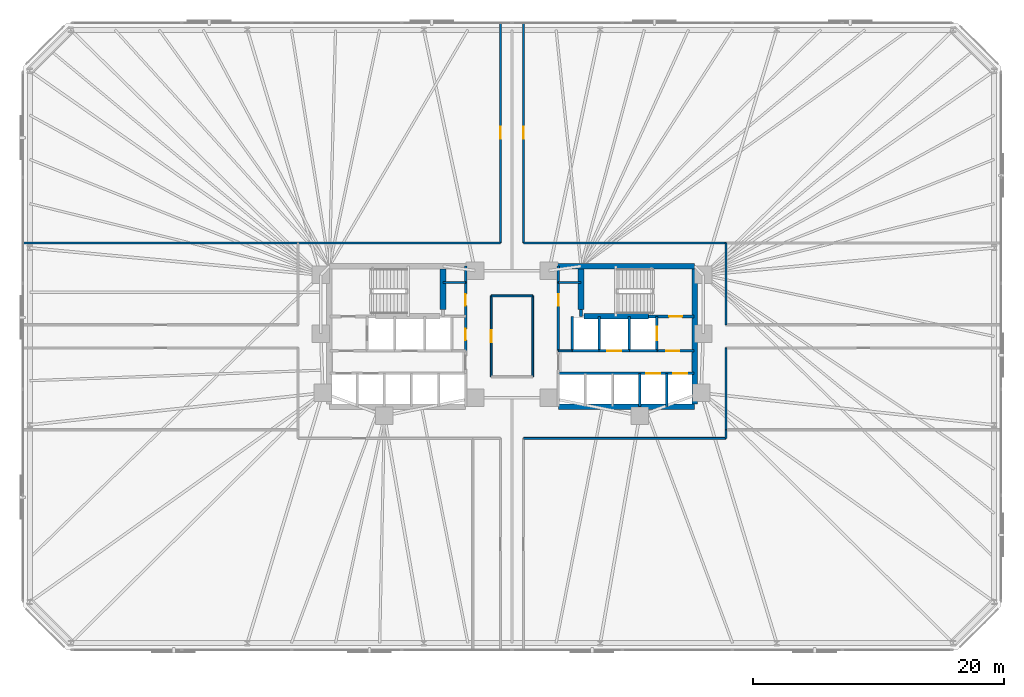
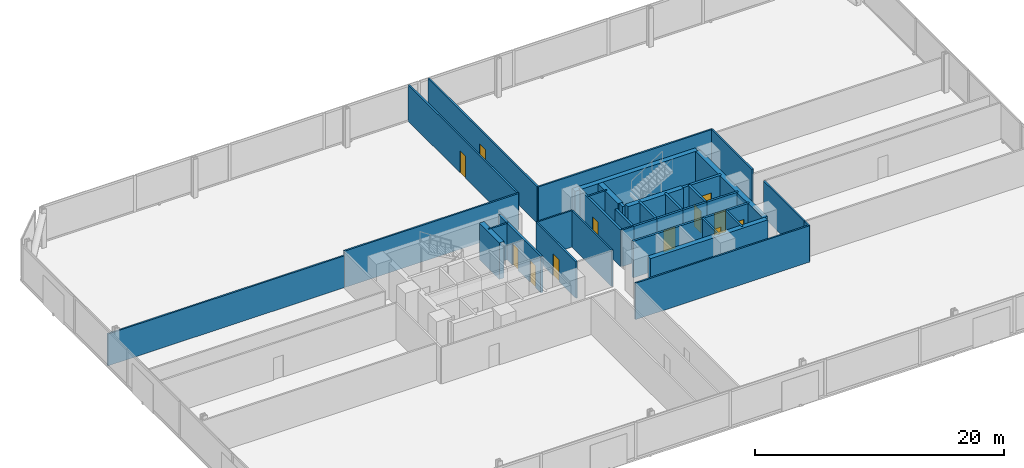
# One storey, part 13 of 16: 36 walls, 12 doors, 12 openings.
"""IFC4 building model written with IfcOpenShell, lengths in metres."""

from ifc_helpers import new_model, si_unit, direction, frame, frame_2d, origin, place, context, subcontext, project, spatial, rectangle, extrude, material, layer, layer_set, type_object, element, fill, save


model = new_model("IFC4")

# Units and contexts
model_context = context("Model", 3, precision=1e-05, world=origin(), true_north=direction((0.0, 1.0)))
body_context = subcontext(model_context, "Body", "Model", "MODEL_VIEW")
ifc_project = project(units=[si_unit("LENGTHUNIT", "METRE"), si_unit("AREAUNIT", "SQUARE_METRE"), si_unit("VOLUMEUNIT", "CUBIC_METRE"), si_unit("PLANEANGLEUNIT", "RADIAN"), si_unit("MASSUNIT", "GRAM", prefix="KILO")], contexts=[model_context])

# Site, building, storey
site_placement = place(None, origin())
site = spatial("IfcSite", under=ifc_project, at=site_placement, CompositionType="ELEMENT")
building_placement = place(site_placement, origin())
building = spatial("IfcBuilding", under=site, at=building_placement, Name="Menara Jurai Vektor", CompositionType="ELEMENT")
storey_placement = place(building_placement, frame((0.0, 0.0, 14.199951171875)))
storey = spatial("IfcBuildingStorey", under=building, at=storey_placement, Name="L02", CompositionType="ELEMENT", Elevation=14.199951171875)

# Wall, opening, door
ifc_material_1 = material(Name="Concrete C40/50", Category="concrete")
ifc_layer_1 = layer(ifc_material_1, 0.25)
ifc_layer_set_1 = layer_set([ifc_layer_1], Name="Concrete C40/50")
wall_type_1 = type_object("IfcWallType", Name="INT-WALL-CORE-250", PredefinedType="STANDARD", material=ifc_layer_set_1)
wall_1_placement = place(storey_placement, frame((10.89990234375, 1.60009765625, 0.0), z_axis=(0.0, 0.0, 1.0), x_axis=(1.0, 0.0, 0.0)))
wall_1 = element("IfcWall", 1, at=wall_1_placement, inside=storey, type_object=wall_type_1, Name="Interior Wall IW-250 L02", PredefinedType="STANDARD", context=body_context, shape_type="SweptSolid", body=[
    extrude(rectangle(XDim=3.60009765625, YDim=0.25, at=frame_2d((1.800048828125, 0.0))), origin(), (0.0, 0.0, 1.0), 3.574951171875),
])
opening_1_placement = place(wall_1_placement, frame((1.6201171875, 0.0, 0.0)))
opening_1 = element("IfcOpeningElement", 2, at=opening_1_placement, cuts=wall_1, Name="Opening D-L02-ST2", PredefinedType="OPENING", context=body_context, shape_type="SweptSolid", body=[
    extrude(rectangle(XDim=1.050048828125, YDim=2.14990234375, at=frame_2d((0.52490234375, 1.074951171875))), frame((0.0, 0.135009765625, 0.0), z_axis=(0.0, -1.0, 0.0), x_axis=(1.0, 0.0, 0.0)), (0.0, 0.0, 1.0), 0.27001953125),
])
ifc_material_2 = material(Name="Fire-Rated Steel Door", Category="steel")
door_type_1 = type_object("IfcDoorType", Name="DR-STAIR-1050", OperationType="NOTDEFINED", PredefinedType="DOOR", material=ifc_material_2)
door_1_placement = place(opening_1_placement, origin())
door_1 = element("IfcDoor", 3, at=door_1_placement, inside=storey, type_object=door_type_1, Name="Exit Stair ST2 Door L02", OperationType="SINGLE_SWING_LEFT", OverallHeight=2.14990234375, OverallWidth=1.050048828125, PredefinedType="DOOR", context=body_context, shape_type="SweptSolid", body=[
    extrude(rectangle(XDim=1.050048828125, YDim=2.14990234375, at=frame_2d((0.52490234375, 1.074951171875))), frame((0.0, 0.02490234375, 0.0), z_axis=(0.0, -1.0, 0.0), x_axis=(1.0, 0.0, 0.0)), (0.0, 0.0, 1.0), 0.050048828125),
])
fill(opening_1, door_1)

# Wall
wall_2_placement = place(storey_placement, frame((5.5, 1.60009765625, 0.0), z_axis=(0.0, 0.0, 1.0), x_axis=(0.0, 1.0, 0.0)))
element("IfcWall", 4, at=wall_2_placement, inside=storey, type_object=wall_type_1, Name="Interior Wall IW-250 L02", PredefinedType="STANDARD", context=body_context, shape_type="SweptSolid", body=[
    extrude(rectangle(XDim=0.5498046875, YDim=0.25, at=frame_2d((0.27490234375, 0.0))), origin(), (0.0, 0.0, 1.0), 3.574951171875),
])

# Wall, opening, door
wall_3_placement = place(storey_placement, frame((11.550048828125, -1.14990234375, 0.0), z_axis=(0.0, 0.0, 1.0), x_axis=(0.0, 1.0, 0.0)))
wall_3 = element("IfcWall", 5, at=wall_3_placement, inside=storey, type_object=wall_type_1, Name="Interior Wall IW-250 L02", PredefinedType="STANDARD", context=body_context, shape_type="SweptSolid", body=[
    extrude(rectangle(XDim=2.75, YDim=0.199951171875, at=frame_2d((1.375, 0.0))), origin(), (0.0, 0.0, 1.0), 3.574951171875),
])
opening_2_placement = place(wall_3_placement, frame((0.824951171875, 0.0, 0.0)))
opening_2 = element("IfcOpeningElement", 6, at=opening_2_placement, cuts=wall_3, Name="Opening LD-L02-FL2", PredefinedType="OPENING", context=body_context, shape_type="SweptSolid", body=[
    extrude(rectangle(XDim=1.10009765625, YDim=2.14990234375, at=frame_2d((0.550048828125, 1.074951171875))), frame((0.0, 0.10986328125, 0.0), z_axis=(0.0, -1.0, 0.0), x_axis=(1.0, 0.0, 0.0)), (0.0, 0.0, 1.0), 0.219970703125),
])
ifc_material_3 = material(Name="Stainless Steel Sliding Lift Landing Door", Category="steel")
door_type_2 = type_object("IfcDoorType", Name="DR-LIFT-FIRE-1100", OperationType="NOTDEFINED", PredefinedType="DOOR", material=ifc_material_3)
door_2_placement = place(opening_2_placement, origin())
door_2 = element("IfcDoor", 7, at=door_2_placement, inside=storey, type_object=door_type_2, Name="Lift Landing Door FL2 L02", OperationType="SLIDING_TO_RIGHT", OverallHeight=2.14990234375, OverallWidth=1.10009765625, PredefinedType="DOOR", context=body_context, shape_type="SweptSolid", body=[
    extrude(rectangle(XDim=1.10009765625, YDim=2.14990234375, at=frame_2d((0.550048828125, 1.074951171875))), frame((0.0, 0.02490234375, 0.0), z_axis=(0.0, -1.0, 0.0), x_axis=(1.0, 0.0, 0.0)), (0.0, 0.0, 1.0), 0.050048828125),
])
fill(opening_2, door_2)

# Wall
wall_4_placement = place(storey_placement, frame((9.35009765625, -1.14990234375, 0.0), z_axis=(0.0, 0.0, 1.0), x_axis=(0.0, 1.0, 0.0)))
element("IfcWall", 8, at=wall_4_placement, inside=storey, type_object=wall_type_1, Name="Interior Wall IW-250 L02", PredefinedType="STANDARD", context=body_context, shape_type="SweptSolid", body=[
    extrude(rectangle(XDim=2.75, YDim=0.199951171875, at=frame_2d((1.375, 0.0))), origin(), (0.0, 0.0, 1.0), 3.574951171875),
])

# Wall, opening, door
wall_5_placement = place(storey_placement, frame((11.550048828125, -1.14990234375, 0.0), z_axis=(0.0, 0.0, 1.0), x_axis=(1.0, 0.0, 0.0)))
wall_5 = element("IfcWall", 9, at=wall_5_placement, inside=storey, type_object=wall_type_1, Name="Interior Wall IW-250 L02", PredefinedType="STANDARD", context=body_context, shape_type="SweptSolid", body=[
    extrude(rectangle(XDim=2.949951171875, YDim=0.199951171875, at=frame_2d((1.47509765625, 0.0))), origin(), (0.0, 0.0, 1.0), 3.574951171875),
])
opening_3_placement = place(wall_5_placement, frame((0.75, 0.0, 0.0)))
opening_3 = element("IfcOpeningElement", 10, at=opening_3_placement, cuts=wall_5, Name="Opening D-L02-FFE", PredefinedType="OPENING", context=body_context, shape_type="SweptSolid", body=[
    extrude(rectangle(XDim=1.050048828125, YDim=2.179931640625, at=frame_2d((0.52490234375, 1.08984375))), frame((0.0, 0.10986328125, 0.0), z_axis=(0.0, -1.0, 0.0), x_axis=(1.0, 0.0, 0.0)), (0.0, 0.0, 1.0), 0.219970703125),
])
ifc_material_4 = material(Name="Fire-Rated Timber Door", Category="wood")
door_type_3 = type_object("IfcDoorType", Name="DR-LOBBY-1050", OperationType="NOTDEFINED", PredefinedType="DOOR", material=ifc_material_4)
door_3_placement = place(opening_3_placement, origin())
door_3 = element("IfcDoor", 11, at=door_3_placement, inside=storey, type_object=door_type_3, Name="Fire Lift Lobby Door E L02", OperationType="SINGLE_SWING_LEFT", OverallHeight=2.179931640625, OverallWidth=1.050048828125, PredefinedType="DOOR", context=body_context, shape_type="SweptSolid", body=[
    extrude(rectangle(XDim=1.050048828125, YDim=2.179931640625, at=frame_2d((0.52490234375, 1.08984375))), frame((0.0, 0.02490234375, 0.0), z_axis=(0.0, -1.0, 0.0), x_axis=(1.0, 0.0, 0.0)), (0.0, 0.0, 1.0), 0.050048828125),
])
fill(opening_3, door_3)

# Walls
wall_6_placement = place(storey_placement, frame((9.35009765625, -1.14990234375, 0.0), z_axis=(0.0, 0.0, 1.0), x_axis=(1.0, 0.0, 0.0)))
element("IfcWall", 12, at=wall_6_placement, inside=storey, type_object=wall_type_1, Name="Interior Wall IW-250 L02", PredefinedType="STANDARD", context=body_context, shape_type="SweptSolid", body=[
    extrude(rectangle(XDim=2.199951171875, YDim=0.199951171875, at=frame_2d((1.10009765625, 0.0))), origin(), (0.0, 0.0, 1.0), 3.574951171875),
])
ifc_material_5 = material(Name="Gypsum Fireboard Partition", Category="gypsum")
ifc_layer_2 = layer(ifc_material_5, 0.14990234375)
ifc_layer_set_2 = layer_set([ifc_layer_2], Name="Gypsum Fireboard Partition")
wall_type_2 = type_object("IfcWallType", Name="INT-WALL-CORR-150", PredefinedType="PARTITIONING", material=ifc_layer_set_2)
wall_7_placement = place(storey_placement, frame((3.699951171875, -1.14990234375, 0.0), z_axis=(0.0, 0.0, 1.0), x_axis=(1.0, 0.0, 0.0)))
element("IfcWall", 13, at=wall_7_placement, inside=storey, type_object=wall_type_2, Name="Interior Wall IW-150 L02", PredefinedType="PARTITIONING", context=body_context, shape_type="SweptSolid", body=[
    extrude(rectangle(XDim=1.090087890625, YDim=0.14990234375, at=frame_2d((0.544921875, 0.0))), origin(), (0.0, 0.0, 1.0), 3.574951171875),
])
for number, where, z_axis, x_axis, name in (
    (14, (-5.5, 4.300048828125, 0.0), (0.0, 0.0, 1.0), (1.0, 0.0, 0.0), "Interior Wall IW-150 L02"),
    (15, (3.699951171875, 4.300048828125, 0.0), (0.0, 0.0, 1.0), (1.0, 0.0, 0.0), "Interior Wall IW-150 L02"),
):
    element("IfcWall", number, at=place(storey_placement, frame(where, z_axis=z_axis, x_axis=x_axis)), inside=storey, type_object=wall_type_2, Name=name, PredefinedType="PARTITIONING", context=body_context, shape_type="SweptSolid", body=[
        extrude(rectangle(XDim=1.800048828125, YDim=0.14990234375, at=frame_2d((0.89990234375, 0.0))), origin(), (0.0, 0.0, 1.0), 3.574951171875),
    ])

# Wall, opening, door
wall_8_placement = place(storey_placement, frame((-1.64990234375, -3.22998046875, 0.0), z_axis=(0.0, 0.0, 1.0), x_axis=(0.0, 1.0, 0.0)))
wall_8 = element("IfcWall", 16, at=wall_8_placement, inside=storey, type_object=wall_type_2, Name="Interior Wall IW-150 L02", PredefinedType="PARTITIONING", context=body_context, shape_type="SweptSolid", body=[
    extrude(rectangle(XDim=6.4599609375, YDim=0.14990234375, at=frame_2d((3.22998046875, 0.0))), origin(), (0.0, 0.0, 1.0), 3.574951171875),
])
opening_4_placement = place(wall_8_placement, frame((2.7548828125, 0.0, 0.0)))
opening_4 = element("IfcOpeningElement", 17, at=opening_4_placement, cuts=wall_8, Name="Opening D02-04", PredefinedType="OPENING", context=body_context, shape_type="SweptSolid", body=[
    extrude(rectangle(XDim=0.949951171875, YDim=2.14990234375, at=frame_2d((0.47509765625, 1.074951171875))), frame((0.0, 0.0849609375, 0.0), z_axis=(0.0, -1.0, 0.0), x_axis=(1.0, 0.0, 0.0)), (0.0, 0.0, 1.0), 0.169921875),
])
ifc_material_6 = material(Name="Solid Core Timber Fire Door", Category="wood")
door_type_4 = type_object("IfcDoorType", Name="DR-ENTRY-950", OperationType="NOTDEFINED", PredefinedType="DOOR", material=ifc_material_6)
door_4_placement = place(opening_4_placement, origin())
door_4 = element("IfcDoor", 18, at=door_4_placement, inside=storey, type_object=door_type_4, Name="Interior Door D02-04", OperationType="SINGLE_SWING_LEFT", OverallHeight=2.14990234375, OverallWidth=0.949951171875, PredefinedType="DOOR", context=body_context, shape_type="SweptSolid", body=[
    extrude(rectangle(XDim=0.949951171875, YDim=2.14990234375, at=frame_2d((0.47509765625, 1.074951171875))), frame((0.0, 0.02490234375, 0.0), z_axis=(0.0, -1.0, 0.0), x_axis=(1.0, 0.0, 0.0)), (0.0, 0.0, 1.0), 0.050048828125),
])
fill(opening_4, door_4)

# Walls
wall_9_placement = place(storey_placement, frame((-1.64990234375, 3.22998046875, 0.0), z_axis=(0.0, 0.0, 1.0), x_axis=(1.0, 0.0, 0.0)))
element("IfcWall", 19, at=wall_9_placement, inside=storey, type_object=wall_type_2, Name="Interior Wall IW-150 L02", PredefinedType="PARTITIONING", context=body_context, shape_type="SweptSolid", body=[
    extrude(rectangle(XDim=3.2998046875, YDim=0.14990234375, at=frame_2d((1.64990234375, 0.0))), origin(), (0.0, 0.0, 1.0), 3.574951171875),
])
wall_10_placement = place(storey_placement, frame((1.64990234375, -3.22998046875, 0.0), z_axis=(0.0, 0.0, 1.0), x_axis=(0.0, 1.0, 0.0)))
element("IfcWall", 20, at=wall_10_placement, inside=storey, type_object=wall_type_2, Name="Interior Wall IW-150 L02", PredefinedType="PARTITIONING", context=body_context, shape_type="SweptSolid", body=[
    extrude(rectangle(XDim=6.4599609375, YDim=0.14990234375, at=frame_2d((3.22998046875, 0.0))), origin(), (0.0, 0.0, 1.0), 3.574951171875),
])
wall_11_placement = place(storey_placement, frame((-17.05908203125, 7.449951171875, 0.0), z_axis=(0.0, 0.0, 1.0), x_axis=(1.0, 0.0, 0.0)))
element("IfcWall", 21, at=wall_11_placement, inside=storey, type_object=wall_type_2, Name="Interior Wall IW-150 L02", PredefinedType="PARTITIONING", context=body_context, shape_type="SweptSolid", body=[
    extrude(rectangle(XDim=16.13916015625, YDim=0.14990234375, at=frame_2d((8.069580078125, 0.0))), origin(), (0.0, 0.0, 1.0), 3.574951171875),
])

# Wall, opening, door
wall_12_placement = place(storey_placement, frame((-0.919921875, 7.449951171875, 0.0), z_axis=(0.0, 0.0, 1.0), x_axis=(0.0, 1.0, 0.0)))
wall_12 = element("IfcWall", 22, at=wall_12_placement, inside=storey, type_object=wall_type_2, Name="Interior Wall IW-150 L02", PredefinedType="PARTITIONING", context=body_context, shape_type="SweptSolid", body=[
    extrude(rectangle(XDim=17.550048828125, YDim=0.14990234375, at=frame_2d((8.77490234375, 0.0))), origin(), (0.0, 0.0, 1.0), 3.574951171875),
])
opening_5_placement = place(wall_12_placement, frame((8.300048828125, 0.0, 0.0)))
opening_5 = element("IfcOpeningElement", 23, at=opening_5_placement, cuts=wall_12, Name="Opening D02-05", PredefinedType="OPENING", context=body_context, shape_type="SweptSolid", body=[
    extrude(rectangle(XDim=0.949951171875, YDim=2.14990234375, at=frame_2d((0.47509765625, 1.074951171875))), frame((0.0, 0.0849609375, 0.0), z_axis=(0.0, -1.0, 0.0), x_axis=(1.0, 0.0, 0.0)), (0.0, 0.0, 1.0), 0.169921875),
])
door_5_placement = place(opening_5_placement, origin())
door_5 = element("IfcDoor", 24, at=door_5_placement, inside=storey, type_object=door_type_4, Name="Interior Door D02-05", OperationType="SINGLE_SWING_RIGHT", OverallHeight=2.14990234375, OverallWidth=0.949951171875, PredefinedType="DOOR", context=body_context, shape_type="SweptSolid", body=[
    extrude(rectangle(XDim=0.949951171875, YDim=2.14990234375, at=frame_2d((0.47509765625, 1.074951171875))), frame((0.0, 0.02490234375, 0.0), z_axis=(0.0, -1.0, 0.0), x_axis=(1.0, 0.0, 0.0)), (0.0, 0.0, 1.0), 0.050048828125),
])
fill(opening_5, door_5)

wall_13_placement = place(storey_placement, frame((0.919921875, 7.449951171875, 0.0), z_axis=(0.0, 0.0, 1.0), x_axis=(0.0, 1.0, 0.0)))
wall_13 = element("IfcWall", 25, at=wall_13_placement, inside=storey, type_object=wall_type_2, Name="Interior Wall IW-150 L02", PredefinedType="PARTITIONING", context=body_context, shape_type="SweptSolid", body=[
    extrude(rectangle(XDim=17.550048828125, YDim=0.14990234375, at=frame_2d((8.77490234375, 0.0))), origin(), (0.0, 0.0, 1.0), 3.574951171875),
])
opening_6_placement = place(wall_13_placement, frame((8.300048828125, 0.0, 0.0)))
opening_6 = element("IfcOpeningElement", 26, at=opening_6_placement, cuts=wall_13, Name="Opening D02-06", PredefinedType="OPENING", context=body_context, shape_type="SweptSolid", body=[
    extrude(rectangle(XDim=0.949951171875, YDim=2.14990234375, at=frame_2d((0.47509765625, 1.074951171875))), frame((0.0, 0.0849609375, 0.0), z_axis=(0.0, -1.0, 0.0), x_axis=(1.0, 0.0, 0.0)), (0.0, 0.0, 1.0), 0.169921875),
])
door_6_placement = place(opening_6_placement, origin())
door_6 = element("IfcDoor", 27, at=door_6_placement, inside=storey, type_object=door_type_4, Name="Interior Door D02-06", OperationType="SINGLE_SWING_LEFT", OverallHeight=2.14990234375, OverallWidth=0.949951171875, PredefinedType="DOOR", context=body_context, shape_type="SweptSolid", body=[
    extrude(rectangle(XDim=0.949951171875, YDim=2.14990234375, at=frame_2d((0.47509765625, 1.074951171875))), frame((0.0, 0.02490234375, 0.0), z_axis=(0.0, -1.0, 0.0), x_axis=(1.0, 0.0, 0.0)), (0.0, 0.0, 1.0), 0.050048828125),
])
fill(opening_6, door_6)

# Walls
for number, where, z_axis, x_axis, name in (
    (28, (0.919921875, 7.449951171875, 0.0), (0.0, 0.0, 1.0), (1.0, 0.0, 0.0), "Interior Wall IW-150 L02"),
    (29, (0.919921875, -8.1298828125, 0.0), (0.0, 0.0, 1.0), (1.0, 0.0, 0.0), "Interior Wall IW-150 L02"),
):
    element("IfcWall", number, at=place(storey_placement, frame(where, z_axis=z_axis, x_axis=x_axis)), inside=storey, type_object=wall_type_2, Name=name, PredefinedType="PARTITIONING", context=body_context, shape_type="SweptSolid", body=[
        extrude(rectangle(XDim=16.13916015625, YDim=0.14990234375, at=frame_2d((8.069580078125, 0.0))), origin(), (0.0, 0.0, 1.0), 3.574951171875),
    ])
wall_14_placement = place(storey_placement, frame((17.05908203125, -8.1298828125, 0.0), z_axis=(0.0, 0.0, 1.0), x_axis=(0.0, 1.0, 0.0)))
element("IfcWall", 30, at=wall_14_placement, inside=storey, type_object=wall_type_2, Name="Interior Wall IW-150 L02", PredefinedType="PARTITIONING", context=body_context, shape_type="SweptSolid", body=[
    extrude(rectangle(XDim=0.679931640625, YDim=0.14990234375, at=frame_2d((0.33984375, 0.0))), origin(), (0.0, 0.0, 1.0), 3.574951171875),
])
for number, where, z_axis, x_axis, name in (
    (31, (17.05908203125, -7.449951171875, 0.0), (0.0, 0.0, 1.0), (0.0, 1.0, 0.0), "Interior Wall IW-150 L02"),
    (32, (17.05908203125, 0.919921875, 0.0), (0.0, 0.0, 1.0), (0.0, 1.0, 0.0), "Interior Wall IW-150 L02"),
):
    element("IfcWall", number, at=place(storey_placement, frame(where, z_axis=z_axis, x_axis=x_axis)), inside=storey, type_object=wall_type_2, Name=name, PredefinedType="PARTITIONING", context=body_context, shape_type="SweptSolid", body=[
        extrude(rectangle(XDim=6.530029296875, YDim=0.14990234375, at=frame_2d((3.26513671875, 0.0))), origin(), (0.0, 0.0, 1.0), 3.574951171875),
    ])
ifc_layer_3 = layer(ifc_material_5, 0.14990234375)
ifc_layer_set_3 = layer_set([ifc_layer_3], Name="Gypsum Fireboard Partition")
wall_type_3 = type_object("IfcWallType", Name="INT-WALL-CORR-150-H1", PredefinedType="PARTITIONING", material=ifc_layer_set_3)
wall_15_placement = place(storey_placement, frame((-39.0, 7.449951171875, 0.0), z_axis=(0.0, 0.0, 1.0), x_axis=(1.0, 0.0, 0.0)))
element("IfcWall", 33, at=wall_15_placement, inside=storey, type_object=wall_type_3, Name="Interior Wall IW-150 L02", PredefinedType="PARTITIONING", context=body_context, shape_type="SweptSolid", body=[
    extrude(rectangle(XDim=21.94091796875, YDim=0.14990234375, at=frame_2d((10.970458984375, 0.0))), origin(), (0.0, 0.0, 1.0), 3.125),
])

# Wall, openings, doors
ifc_layer_4 = layer(ifc_material_1, 0.199951171875)
ifc_layer_set_4 = layer_set([ifc_layer_4], Name="Concrete C40/50")
wall_type_4 = type_object("IfcWallType", Name="INT-WALL-SHAFT-200", PredefinedType="STANDARD", material=ifc_layer_set_4)
wall_16_placement = place(storey_placement, frame((-3.699951171875, -1.14990234375, 0.0), z_axis=(0.0, 0.0, 1.0), x_axis=(0.0, 1.0, 0.0)))
wall_16 = element("IfcWall", 34, at=wall_16_placement, inside=storey, type_object=wall_type_4, Name="Interior Wall IW-200 L02", PredefinedType="STANDARD", context=body_context, shape_type="SweptSolid", body=[
    extrude(rectangle(XDim=6.75, YDim=0.199951171875, at=frame_2d((3.375, 0.0))), origin(), (0.0, 0.0, 1.0), 3.574951171875),
])
opening_7_placement = place(wall_16_placement, frame((3.60009765625, 0.0, 0.0)))
opening_7 = element("IfcOpeningElement", 35, at=opening_7_placement, cuts=wall_16, Name="Opening D02-01", PredefinedType="OPENING", context=body_context, shape_type="SweptSolid", body=[
    extrude(rectangle(XDim=0.919921875, YDim=2.14990234375, at=frame_2d((0.4599609375, 1.074951171875))), frame((0.0, 0.10986328125, 0.0), z_axis=(0.0, -1.0, 0.0), x_axis=(1.0, 0.0, 0.0)), (0.0, 0.0, 1.0), 0.219970703125),
])
opening_8_placement = place(wall_16_placement, frame((0.85009765625, 0.0, 0.0)))
opening_8 = element("IfcOpeningElement", 36, at=opening_8_placement, cuts=wall_16, Name="Opening D02-02", PredefinedType="OPENING", context=body_context, shape_type="SweptSolid", body=[
    extrude(rectangle(XDim=0.89990234375, YDim=2.14990234375, at=frame_2d((0.449951171875, 1.074951171875))), frame((0.0, 0.10986328125, 0.0), z_axis=(0.0, -1.0, 0.0), x_axis=(1.0, 0.0, 0.0)), (0.0, 0.0, 1.0), 0.219970703125),
])
door_7_placement = place(opening_7_placement, origin())
door_7 = element("IfcDoor", 37, at=door_7_placement, inside=storey, type_object=door_type_4, Name="Interior Door D02-01", OperationType="SINGLE_SWING_LEFT", OverallHeight=2.14990234375, OverallWidth=0.919921875, PredefinedType="DOOR", context=body_context, shape_type="SweptSolid", body=[
    extrude(rectangle(XDim=0.919921875, YDim=2.14990234375, at=frame_2d((0.4599609375, 1.074951171875))), frame((0.0, 0.02490234375, 0.0), z_axis=(0.0, -1.0, 0.0), x_axis=(1.0, 0.0, 0.0)), (0.0, 0.0, 1.0), 0.050048828125),
])
fill(opening_7, door_7)
door_8_placement = place(opening_8_placement, origin())
door_8 = element("IfcDoor", 38, at=door_8_placement, inside=storey, type_object=door_type_4, Name="Interior Door D02-02", OperationType="SINGLE_SWING_LEFT", OverallHeight=2.14990234375, OverallWidth=0.89990234375, PredefinedType="DOOR", context=body_context, shape_type="SweptSolid", body=[
    extrude(rectangle(XDim=0.89990234375, YDim=2.14990234375, at=frame_2d((0.449951171875, 1.074951171875))), frame((0.0, 0.02490234375, 0.0), z_axis=(0.0, -1.0, 0.0), x_axis=(1.0, 0.0, 0.0)), (0.0, 0.0, 1.0), 0.050048828125),
])
fill(opening_8, door_8)

# Wall, opening, door
wall_17_placement = place(storey_placement, frame((3.699951171875, -1.14990234375, 0.0), z_axis=(0.0, 0.0, 1.0), x_axis=(0.0, 1.0, 0.0)))
wall_17 = element("IfcWall", 39, at=wall_17_placement, inside=storey, type_object=wall_type_4, Name="Interior Wall IW-200 L02", PredefinedType="STANDARD", context=body_context, shape_type="SweptSolid", body=[
    extrude(rectangle(XDim=6.75, YDim=0.199951171875, at=frame_2d((3.375, 0.0))), origin(), (0.0, 0.0, 1.0), 3.574951171875),
])
opening_9_placement = place(wall_17_placement, frame((3.60009765625, 0.0, 0.0)))
opening_9 = element("IfcOpeningElement", 40, at=opening_9_placement, cuts=wall_17, Name="Opening D02-03", PredefinedType="OPENING", context=body_context, shape_type="SweptSolid", body=[
    extrude(rectangle(XDim=0.919921875, YDim=2.14990234375, at=frame_2d((0.4599609375, 1.074951171875))), frame((0.0, 0.10986328125, 0.0), z_axis=(0.0, -1.0, 0.0), x_axis=(1.0, 0.0, 0.0)), (0.0, 0.0, 1.0), 0.219970703125),
])
door_9_placement = place(opening_9_placement, origin())
door_9 = element("IfcDoor", 41, at=door_9_placement, inside=storey, type_object=door_type_4, Name="Interior Door D02-03", OperationType="SINGLE_SWING_RIGHT", OverallHeight=2.14990234375, OverallWidth=0.919921875, PredefinedType="DOOR", context=body_context, shape_type="SweptSolid", body=[
    extrude(rectangle(XDim=0.919921875, YDim=2.14990234375, at=frame_2d((0.4599609375, 1.074951171875))), frame((0.0, 0.02490234375, 0.0), z_axis=(0.0, -1.0, 0.0), x_axis=(1.0, 0.0, 0.0)), (0.0, 0.0, 1.0), 0.050048828125),
])
fill(opening_9, door_9)

# Wall
wall_18_placement = place(storey_placement, frame((6.949951171875, -1.14990234375, 0.0), z_axis=(0.0, 0.0, 1.0), x_axis=(0.0, 1.0, 0.0)))
element("IfcWall", 42, at=wall_18_placement, inside=storey, type_object=wall_type_4, Name="Interior Wall IW-200 L02", PredefinedType="STANDARD", context=body_context, shape_type="SweptSolid", body=[
    extrude(rectangle(XDim=2.75, YDim=0.199951171875, at=frame_2d((1.375, 0.0))), origin(), (0.0, 0.0, 1.0), 3.574951171875),
])

# Wall, opening, door
wall_19_placement = place(storey_placement, frame((6.949951171875, -1.14990234375, 0.0), z_axis=(0.0, 0.0, 1.0), x_axis=(1.0, 0.0, 0.0)))
wall_19 = element("IfcWall", 43, at=wall_19_placement, inside=storey, type_object=wall_type_4, Name="Interior Wall IW-200 L02", PredefinedType="STANDARD", context=body_context, shape_type="SweptSolid", body=[
    extrude(rectangle(XDim=2.400146484375, YDim=0.199951171875, at=frame_2d((1.2001953125, 0.0))), origin(), (0.0, 0.0, 1.0), 3.574951171875),
])
opening_10_placement = place(wall_19_placement, frame((0.64990234375, 0.0, 0.0)))
opening_10 = element("IfcOpeningElement", 44, at=opening_10_placement, cuts=wall_19, Name="Opening LD-L02-SVL2", PredefinedType="OPENING", context=body_context, shape_type="SweptSolid", body=[
    extrude(rectangle(XDim=1.10009765625, YDim=2.14990234375, at=frame_2d((0.550048828125, 1.074951171875))), frame((0.0, 0.10986328125, 0.0), z_axis=(0.0, -1.0, 0.0), x_axis=(1.0, 0.0, 0.0)), (0.0, 0.0, 1.0), 0.219970703125),
])
ifc_material_7 = material(Name="Anodised Stainless Sliding Lift Landing Door", Category="steel")
door_type_5 = type_object("IfcDoorType", Name="DR-LIFT-PASS-1100", OperationType="NOTDEFINED", PredefinedType="DOOR", material=ifc_material_7)
door_10_placement = place(opening_10_placement, origin())
door_10 = element("IfcDoor", 45, at=door_10_placement, inside=storey, type_object=door_type_5, Name="Lift Landing Door SVL2 L02", OperationType="SLIDING_TO_RIGHT", OverallHeight=2.14990234375, OverallWidth=1.10009765625, PredefinedType="DOOR", context=body_context, shape_type="SweptSolid", body=[
    extrude(rectangle(XDim=1.10009765625, YDim=2.14990234375, at=frame_2d((0.550048828125, 1.074951171875))), frame((0.0, 0.02490234375, 0.0), z_axis=(0.0, -1.0, 0.0), x_axis=(1.0, 0.0, 0.0)), (0.0, 0.0, 1.0), 0.050048828125),
])
fill(opening_10, door_10)

# Walls
wall_20_placement = place(storey_placement, frame((4.7900390625, -1.14990234375, 0.0), z_axis=(0.0, 0.0, 1.0), x_axis=(0.0, 1.0, 0.0)))
element("IfcWall", 46, at=wall_20_placement, inside=storey, type_object=wall_type_4, Name="Interior Wall IW-200 L02", PredefinedType="STANDARD", context=body_context, shape_type="SweptSolid", body=[
    extrude(rectangle(XDim=2.75, YDim=0.199951171875, at=frame_2d((1.375, 0.0))), origin(), (0.0, 0.0, 1.0), 3.574951171875),
])
wall_21_placement = place(storey_placement, frame((4.7900390625, -1.14990234375, 0.0), z_axis=(0.0, 0.0, 1.0), x_axis=(1.0, 0.0, 0.0)))
element("IfcWall", 47, at=wall_21_placement, inside=storey, type_object=wall_type_4, Name="Interior Wall IW-200 L02", PredefinedType="STANDARD", context=body_context, shape_type="SweptSolid", body=[
    extrude(rectangle(XDim=2.159912109375, YDim=0.199951171875, at=frame_2d((1.080078125, 0.0))), origin(), (0.0, 0.0, 1.0), 3.574951171875),
])

# Wall, openings, doors
wall_22_placement = place(storey_placement, frame((3.699951171875, -2.949951171875, 0.0), z_axis=(0.0, 0.0, 1.0), x_axis=(1.0, 0.0, 0.0)))
wall_22 = element("IfcWall", 48, at=wall_22_placement, inside=storey, type_object=wall_type_4, Name="Interior Wall IW-200 L02", PredefinedType="STANDARD", context=body_context, shape_type="SweptSolid", body=[
    extrude(rectangle(XDim=10.800048828125, YDim=0.199951171875, at=frame_2d((5.39990234375, 0.0))), origin(), (0.0, 0.0, 1.0), 3.574951171875),
])
opening_11_placement = place(wall_22_placement, frame((7.010009765625, 0.0, 0.0)))
opening_11 = element("IfcOpeningElement", 49, at=opening_11_placement, cuts=wall_22, Name="Opening LD-L02-PL3", PredefinedType="OPENING", context=body_context, shape_type="SweptSolid", body=[
    extrude(rectangle(XDim=1.10009765625, YDim=2.14990234375, at=frame_2d((0.550048828125, 1.074951171875))), frame((0.0, 0.10986328125, 0.0), z_axis=(0.0, -1.0, 0.0), x_axis=(1.0, 0.0, 0.0)), (0.0, 0.0, 1.0), 0.219970703125),
])
opening_12_placement = place(wall_22_placement, frame((9.169921875, 0.0, 0.0)))
opening_12 = element("IfcOpeningElement", 50, at=opening_12_placement, cuts=wall_22, Name="Opening LD-L02-PL4", PredefinedType="OPENING", context=body_context, shape_type="SweptSolid", body=[
    extrude(rectangle(XDim=1.10009765625, YDim=2.14990234375, at=frame_2d((0.550048828125, 1.074951171875))), frame((0.0, 0.10986328125, 0.0), z_axis=(0.0, -1.0, 0.0), x_axis=(1.0, 0.0, 0.0)), (0.0, 0.0, 1.0), 0.219970703125),
])
door_11_placement = place(opening_11_placement, origin())
door_11 = element("IfcDoor", 51, at=door_11_placement, inside=storey, type_object=door_type_5, Name="Lift Landing Door PL3 L02", OperationType="SLIDING_TO_RIGHT", OverallHeight=2.14990234375, OverallWidth=1.10009765625, PredefinedType="DOOR", context=body_context, shape_type="SweptSolid", body=[
    extrude(rectangle(XDim=1.10009765625, YDim=2.14990234375, at=frame_2d((0.550048828125, 1.074951171875))), frame((0.0, 0.02490234375, 0.0), z_axis=(0.0, -1.0, 0.0), x_axis=(1.0, 0.0, 0.0)), (0.0, 0.0, 1.0), 0.050048828125),
])
fill(opening_11, door_11)
door_12_placement = place(opening_12_placement, origin())
door_12 = element("IfcDoor", 52, at=door_12_placement, inside=storey, type_object=door_type_5, Name="Lift Landing Door PL4 L02", OperationType="SLIDING_TO_LEFT", OverallHeight=2.14990234375, OverallWidth=1.10009765625, PredefinedType="DOOR", context=body_context, shape_type="SweptSolid", body=[
    extrude(rectangle(XDim=1.10009765625, YDim=2.14990234375, at=frame_2d((0.550048828125, 1.074951171875))), frame((0.0, 0.02490234375, 0.0), z_axis=(0.0, -1.0, 0.0), x_axis=(1.0, 0.0, 0.0)), (0.0, 0.0, 1.0), 0.050048828125),
])
fill(opening_12, door_12)

# Walls
for number, where, z_axis, x_axis, name in (
    (53, (12.340087890625, -5.60009765625, 0.0), (0.0, 0.0, 1.0), (0.0, 1.0, 0.0), "Interior Wall IW-200 L02"),
    (54, (10.179931640625, -5.60009765625, 0.0), (0.0, 0.0, 1.0), (0.0, 1.0, 0.0), "Interior Wall IW-200 L02"),
):
    element("IfcWall", number, at=place(storey_placement, frame(where, z_axis=z_axis, x_axis=x_axis)), inside=storey, type_object=wall_type_4, Name=name, PredefinedType="STANDARD", context=body_context, shape_type="SweptSolid", body=[
        extrude(rectangle(XDim=2.650146484375, YDim=0.179931640625, at=frame_2d((1.3251953125, 0.0))), origin(), (0.0, 0.0, 1.0), 3.574951171875),
    ])
ifc_material_8 = material(Name="Concrete C60/75", Category="concrete")
ifc_layer_5 = layer(ifc_material_8, 0.449951171875)
ifc_layer_set_5 = layer_set([ifc_layer_5], Name="Concrete C60/75")
wall_type_5 = type_object("IfcWallType", Name="STR-WALL-CORE450", PredefinedType="SHEAR", material=ifc_layer_set_5)
wall_23_placement = place(storey_placement, frame((-5.5, 2.14990234375, 0.0), z_axis=(0.0, 0.0, 1.0), x_axis=(0.0, 1.0, 0.0)))
element("IfcWall", 55, at=wall_23_placement, inside=storey, type_object=wall_type_5, Name="Core Shear Wall CW-W-ST L02", PredefinedType="SHEAR", context=body_context, shape_type="SweptSolid", body=[
    extrude(rectangle(XDim=3.22509765625, YDim=0.449951171875, at=frame_2d((1.612548828125, 0.0))), origin(), (0.0, 0.0, 1.0), 3.574951171875),
])
wall_24_placement = place(storey_placement, frame((3.14990234375, 5.60009765625, 0.0), z_axis=(0.0, 0.0, 1.0), x_axis=(1.0, 0.0, 0.0)))
element("IfcWall", 56, at=wall_24_placement, inside=storey, type_object=wall_type_5, Name="Core Shear Wall CW-E-N L02", PredefinedType="SHEAR", context=body_context, shape_type="SweptSolid", body=[
    extrude(rectangle(XDim=11.41015625, YDim=0.449951171875, at=frame_2d((5.705078125, 0.0))), origin(), (0.0, 0.0, 1.0), 3.574951171875),
])
wall_25_placement = place(storey_placement, frame((3.699951171875, -5.60009765625, 0.0), z_axis=(0.0, 0.0, 1.0), x_axis=(1.0, 0.0, 0.0)))
element("IfcWall", 57, at=wall_25_placement, inside=storey, type_object=wall_type_5, Name="Core Shear Wall CW-E-S L02", PredefinedType="SHEAR", context=body_context, shape_type="SweptSolid", body=[
    extrude(rectangle(XDim=10.860107421875, YDim=0.449951171875, at=frame_2d((5.43017578125, 0.0))), origin(), (0.0, 0.0, 1.0), 3.574951171875),
])
wall_26_placement = place(storey_placement, frame((14.56005859375, -5.375, 0.0), z_axis=(0.0, 0.0, 1.0), x_axis=(0.0, 1.0, 0.0)))
element("IfcWall", 58, at=wall_26_placement, inside=storey, type_object=wall_type_5, Name="Core Shear Wall CW-E-E L02", PredefinedType="SHEAR", context=body_context, shape_type="SweptSolid", body=[
    extrude(rectangle(XDim=10.75, YDim=0.449951171875, at=frame_2d((5.375, 0.0))), origin(), (0.0, 0.0, 1.0), 3.574951171875),
])
wall_27_placement = place(storey_placement, frame((5.5, 2.14990234375, 0.0), z_axis=(0.0, 0.0, 1.0), x_axis=(0.0, 1.0, 0.0)))
element("IfcWall", 59, at=wall_27_placement, inside=storey, type_object=wall_type_5, Name="Core Shear Wall CW-E-ST L02", PredefinedType="SHEAR", context=body_context, shape_type="SweptSolid", body=[
    extrude(rectangle(XDim=3.22509765625, YDim=0.449951171875, at=frame_2d((1.612548828125, 0.0))), origin(), (0.0, 0.0, 1.0), 3.574951171875),
])
wall_28_placement = place(storey_placement, frame((5.75, 1.60009765625, 0.0), z_axis=(0.0, 0.0, 1.0), x_axis=(1.0, 0.0, 0.0)))
element("IfcWall", 60, at=wall_28_placement, inside=storey, type_object=wall_type_5, Name="Core Shear Wall CW-E-STS L02", PredefinedType="SHEAR", context=body_context, shape_type="SweptSolid", body=[
    extrude(rectangle(XDim=5.14990234375, YDim=0.449951171875, at=frame_2d((2.574951171875, 0.0))), origin(), (0.0, 0.0, 1.0), 3.574951171875),
])

save(model, "model.ifc")
